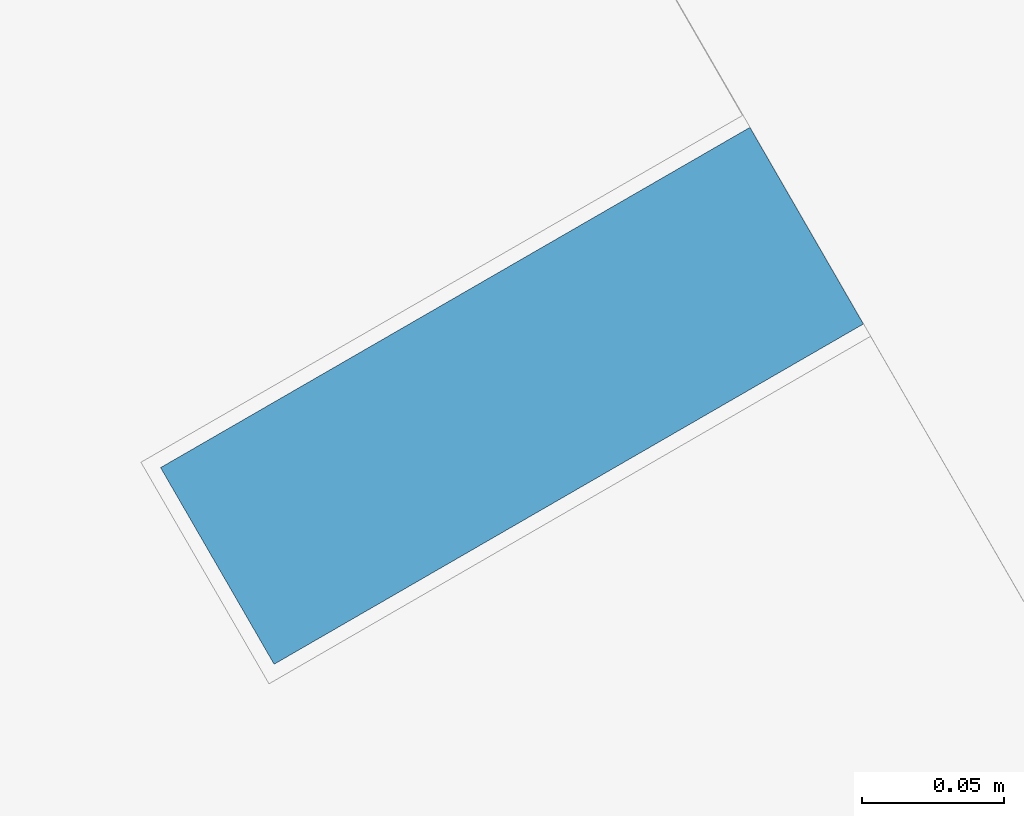
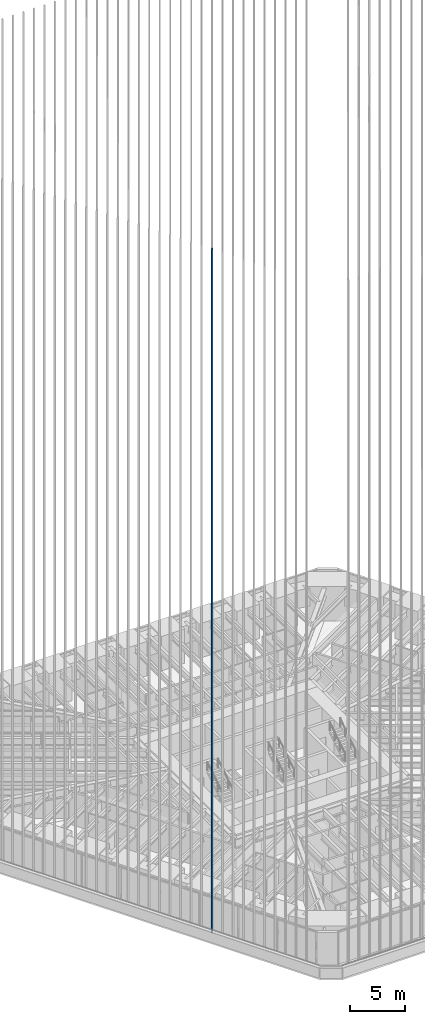
# One storey, part 3 of 238: 1 member, 1 element without a shape of its own.
"""IFC4 building model written with IfcOpenShell, lengths in metres."""

from ifc_helpers import new_model, si_unit, direction, frame, origin, origin_2d, place, context, subcontext, project, spatial, rectangle, extrude, material, material_profile, profile_set, type_object, element, aggregate, save


model = new_model("IFC4")

# Units and contexts
model_context = context("Model", 3, precision=1e-05, world=origin(), true_north=direction((0.0, 1.0)))
body_context = subcontext(model_context, "Body", "Model", "MODEL_VIEW")
ifc_project = project(units=[si_unit("LENGTHUNIT", "METRE"), si_unit("AREAUNIT", "SQUARE_METRE"), si_unit("VOLUMEUNIT", "CUBIC_METRE"), si_unit("PLANEANGLEUNIT", "RADIAN"), si_unit("MASSUNIT", "GRAM", prefix="KILO")], contexts=[model_context])

# Site, building, storey
site_placement = place(None, origin())
site = spatial("IfcSite", under=ifc_project, at=site_placement, CompositionType="ELEMENT")
building_placement = place(site_placement, origin())
building = spatial("IfcBuilding", under=site, at=building_placement, Name="Sandreach Pilgrim Tower", CompositionType="ELEMENT")
storey_placement = place(building_placement, frame((0.0, 0.0, 96.800048828125)))
storey = spatial("IfcBuildingStorey", under=building, at=storey_placement, Name="L23", CompositionType="ELEMENT", Elevation=96.800048828125)

# Curtain wall, member
ifc_material_1 = material(Name="Aluminium framed curtain wall", Category="aluminium")
curtain_wall_type = type_object("IfcCurtainWallType", Name="Hotel tower curtain wall", PredefinedType="NOTDEFINED", material=ifc_material_1)
curtain_wall_placement = place(storey_placement, origin())
curtain_wall = element("IfcCurtainWall", 1, at=curtain_wall_placement, inside=storey, type_object=curtain_wall_type, Name="CW-2 L23 SW", PredefinedType="NOTDEFINED")
ifc_material_2 = material(Name="Extruded terracotta on aluminium core", Category="masonry")
ifc_material_profile = material_profile(ifc_material_2, rectangle(XDim=0.080078125, YDim=0.239990234375, at=origin_2d()), Name="TBW 80X240")
ifc_profile_set = profile_set([ifc_material_profile], Name="Extruded terracotta on aluminium core")
member_type = type_object("IfcMemberType", Name="Terracotta baguette west", PredefinedType="USERDEFINED", material=ifc_profile_set)
member_placement = place(storey_placement, frame((-15.989013671875, -18.1337890625, 0.0), z_axis=(0.0, 0.0, 1.0), x_axis=(-0.5, 0.866025403784, 0.0)))
member = element("IfcMember", 2, at=member_placement, type_object=member_type, Name="Baguette Z2 SW10", ObjectType="BAGUETTE", PredefinedType="USERDEFINED", context=body_context, shape_type="SweptSolid", body=[
    extrude(rectangle(XDim=0.080078125, YDim=0.239990234375, at=origin_2d()), origin(), (0.0, 0.0, 1.0), 75.83984375),
])
aggregate(curtain_wall, [member])

save(model, "model.ifc")
